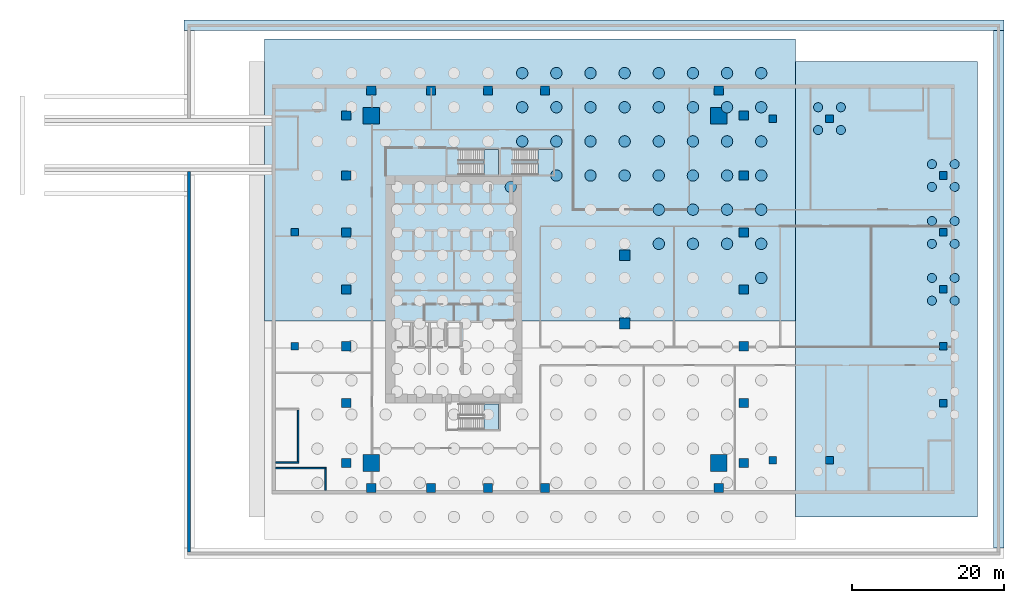
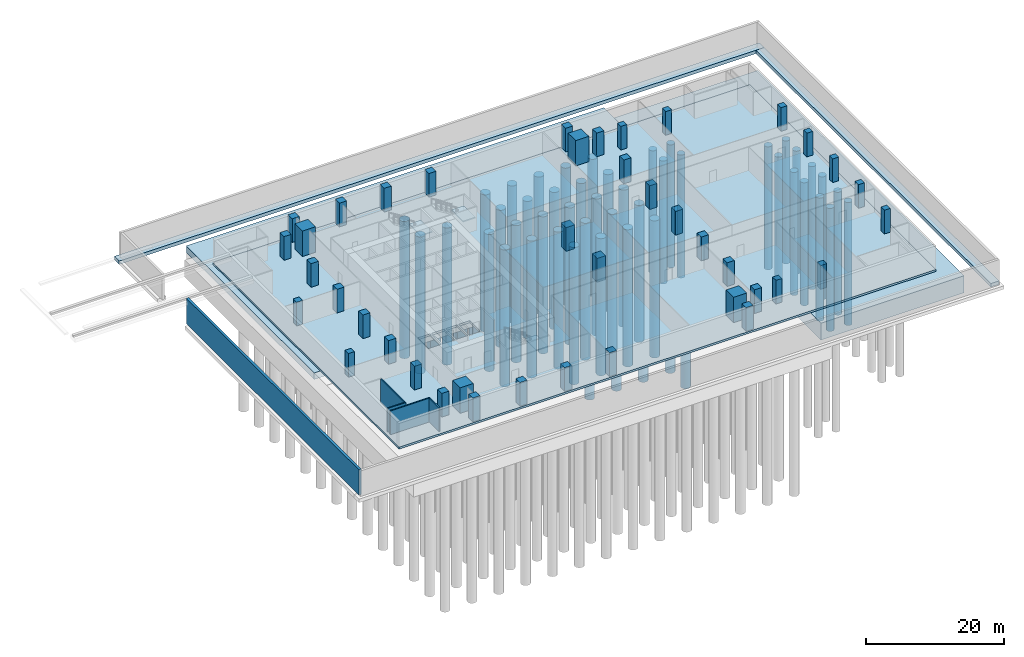
# One storey, part 2 of 10: 57 piles, 41 columns, 5 walls, 4 footings, 4 slabs, 3 elements without a shape of their own.
"""IFC4 building model written with IfcOpenShell, lengths in metres."""

from ifc_helpers import new_model, si_unit, direction, frame, frame_2d, origin, origin_2d, place, context, subcontext, project, spatial, polyline, rectangle, circle, outline, extrude, source, transform, mapped, material, layer, layer_set, material_profile, profile_set, type_object, element, aggregate, save


model = new_model("IFC4")

# Units and contexts
model_context = context("Model", 3, precision=1e-05, world=origin(), true_north=direction((0.0, 1.0)))
body_context = subcontext(model_context, "Body", "Model", "MODEL_VIEW")
ifc_project = project(units=[si_unit("LENGTHUNIT", "METRE"), si_unit("AREAUNIT", "SQUARE_METRE"), si_unit("VOLUMEUNIT", "CUBIC_METRE"), si_unit("PLANEANGLEUNIT", "RADIAN"), si_unit("MASSUNIT", "GRAM", prefix="KILO")], contexts=[model_context])

# Site, building, storey
site_placement = place(None, origin())
site = spatial("IfcSite", under=ifc_project, at=site_placement, CompositionType="ELEMENT")
building_placement = place(site_placement, origin())
building = spatial("IfcBuilding", under=site, at=building_placement, Name="Khomas Fold Tower", CompositionType="ELEMENT")
storey_placement = place(building_placement, frame((0.0, 0.0, -9.0)))
storey = spatial("IfcBuildingStorey", under=building, at=storey_placement, Name="B2", CompositionType="ELEMENT", Elevation=-9.0)

# Footings
ifc_material_1 = material(Name="Concrete C40/50", Category="concrete")
ifc_layer_1 = layer(ifc_material_1, 1.14990234375)
ifc_layer_set_1 = layer_set([ifc_layer_1], Name="Concrete C40/50")
footing_type_1 = type_object("IfcFootingType", Name="RC tower raft upper part 70000 x 37150 x 1150 RF5", PredefinedType="PILE_CAP", material=ifc_layer_set_1)
shared_shape_1 = source(origin(), body_context, "Body", "SweptSolid", [
    extrude(outline(polyline([(-10.0, 22.85009765625), (60.0, 22.85009765625), (60.0, 60.0), (-10.0, 60.0), (-10.0, 22.85009765625)])), origin(), (0.0, 0.0, 1.0), 1.14990234375),
])
footing_1_placement = place(storey_placement, frame((0.0, 0.0, -1.5)))
element("IfcFooting", 1, at=footing_1_placement, inside=storey, type_object=footing_type_1, Name="Tower raft upper part 4", PredefinedType="PILE_CAP", context=body_context, shape_type="MappedRepresentation", body=[
    mapped(shared_shape_1, transform((0.0, 0.0, 0.0))),
])
ifc_material_2 = material(Name="Concrete C40/50", Category="concrete")
ifc_layer_2 = layer(ifc_material_2, 3.0)
ifc_layer_set_2 = layer_set([ifc_layer_2], Name="Concrete C40/50")
footing_type_2 = type_object("IfcFootingType", Name="RC podium raft 24000 x 60000 x 3000 RF7", PredefinedType="PILE_CAP", material=ifc_layer_set_2)
shared_shape_2 = source(origin(), body_context, "Body", "SweptSolid", [
    extrude(outline(polyline([(60.0, -3.0), (84.0, -3.0), (84.0, 57.0), (60.0, 57.0), (60.0, -3.0)])), origin(), (0.0, 0.0, 1.0), 3.0),
])
footing_2_placement = place(storey_placement, frame((0.0, 0.0, -3.35009765625)))
element("IfcFooting", 2, at=footing_2_placement, inside=storey, type_object=footing_type_2, Name="Podium raft 2", PredefinedType="PILE_CAP", context=body_context, shape_type="MappedRepresentation", body=[
    mapped(shared_shape_2, transform((0.0, 0.0, 0.0))),
])

# Piles
ifc_material_3 = material(Name="Concrete C40/50", Category="concrete")
ifc_material_profile_1 = material_profile(ifc_material_3, circle(Radius=0.75, at=origin_2d()), Name="PILE D1500")
ifc_profile_set_1 = profile_set([ifc_material_profile_1], Name="Concrete C40/50")
pile_type_1 = type_object("IfcPileType", Name="Bored pile D1500 grid", PredefinedType="BORED", material=ifc_profile_set_1)
shared_shape_3 = source(origin(), body_context, "Body", "SweptSolid", [
    extrude(circle(Radius=0.75, at=origin_2d()), origin(), (0.0, 0.0, 1.0), 24.300048828125),
])
for number, where, z_axis, x_axis, name in (
    (3, (24.0, 46.5, -4.699951171875), (0.0, 0.0, -1.0), (1.0, 0.0, 0.0), "Pile G061"),
    (4, (24.0, 51.0, -4.699951171875), (0.0, 0.0, -1.0), (1.0, 0.0, 0.0), "Pile G062"),
    (5, (24.0, 55.5, -4.699951171875), (0.0, 0.0, -1.0), (1.0, 0.0, 0.0), "Pile G063"),
    (6, (28.5, 42.0, -4.699951171875), (0.0, 0.0, -1.0), (1.0, 0.0, 0.0), "Pile G074"),
    (7, (28.5, 46.5, -4.699951171875), (0.0, 0.0, -1.0), (1.0, 0.0, 0.0), "Pile G075"),
    (8, (28.5, 51.0, -4.699951171875), (0.0, 0.0, -1.0), (1.0, 0.0, 0.0), "Pile G076"),
    (9, (28.5, 55.5, -4.699951171875), (0.0, 0.0, -1.0), (1.0, 0.0, 0.0), "Pile G077"),
    (10, (33.0, 42.0, -4.699951171875), (0.0, 0.0, -1.0), (1.0, 0.0, 0.0), "Pile G088"),
    (11, (33.0, 46.5, -4.699951171875), (0.0, 0.0, -1.0), (1.0, 0.0, 0.0), "Pile G089"),
    (12, (33.0, 51.0, -4.699951171875), (0.0, 0.0, -1.0), (1.0, 0.0, 0.0), "Pile G090"),
    (13, (33.0, 55.5, -4.699951171875), (0.0, 0.0, -1.0), (1.0, 0.0, 0.0), "Pile G091"),
    (14, (37.5, 42.0, -4.699951171875), (0.0, 0.0, -1.0), (1.0, 0.0, 0.0), "Pile G102"),
    (15, (37.5, 46.5, -4.699951171875), (0.0, 0.0, -1.0), (1.0, 0.0, 0.0), "Pile G103"),
    (16, (37.5, 51.0, -4.699951171875), (0.0, 0.0, -1.0), (1.0, 0.0, 0.0), "Pile G104"),
    (17, (37.5, 55.5, -4.699951171875), (0.0, 0.0, -1.0), (1.0, 0.0, 0.0), "Pile G105"),
    (18, (42.0, 33.0, -4.699951171875), (0.0, 0.0, -1.0), (1.0, 0.0, 0.0), "Pile G114"),
    (19, (42.0, 37.5, -4.699951171875), (0.0, 0.0, -1.0), (1.0, 0.0, 0.0), "Pile G115"),
    (20, (42.0, 42.0, -4.699951171875), (0.0, 0.0, -1.0), (1.0, 0.0, 0.0), "Pile G116"),
    (21, (42.0, 46.5, -4.699951171875), (0.0, 0.0, -1.0), (1.0, 0.0, 0.0), "Pile G117"),
    (22, (42.0, 51.0, -4.699951171875), (0.0, 0.0, -1.0), (1.0, 0.0, 0.0), "Pile G118"),
    (23, (42.0, 55.5, -4.699951171875), (0.0, 0.0, -1.0), (1.0, 0.0, 0.0), "Pile G119"),
    (24, (46.5, 33.0, -4.699951171875), (0.0, 0.0, -1.0), (1.0, 0.0, 0.0), "Pile G128"),
    (25, (46.5, 37.5, -4.699951171875), (0.0, 0.0, -1.0), (1.0, 0.0, 0.0), "Pile G129"),
    (26, (46.5, 42.0, -4.699951171875), (0.0, 0.0, -1.0), (1.0, 0.0, 0.0), "Pile G130"),
    (27, (46.5, 46.5, -4.699951171875), (0.0, 0.0, -1.0), (1.0, 0.0, 0.0), "Pile G131"),
    (28, (46.5, 51.0, -4.699951171875), (0.0, 0.0, -1.0), (1.0, 0.0, 0.0), "Pile G132"),
    (29, (46.5, 55.5, -4.699951171875), (0.0, 0.0, -1.0), (1.0, 0.0, 0.0), "Pile G133"),
    (30, (51.0, 33.0, -4.699951171875), (0.0, 0.0, -1.0), (1.0, 0.0, 0.0), "Pile G142"),
    (31, (51.0, 37.5, -4.699951171875), (0.0, 0.0, -1.0), (1.0, 0.0, 0.0), "Pile G143"),
    (32, (51.0, 42.0, -4.699951171875), (0.0, 0.0, -1.0), (1.0, 0.0, 0.0), "Pile G144"),
    (33, (51.0, 46.5, -4.699951171875), (0.0, 0.0, -1.0), (1.0, 0.0, 0.0), "Pile G145"),
    (34, (51.0, 51.0, -4.699951171875), (0.0, 0.0, -1.0), (1.0, 0.0, 0.0), "Pile G146"),
    (35, (51.0, 55.5, -4.699951171875), (0.0, 0.0, -1.0), (1.0, 0.0, 0.0), "Pile G147"),
    (36, (55.5, 28.5, -4.699951171875), (0.0, 0.0, -1.0), (1.0, 0.0, 0.0), "Pile G155"),
    (37, (55.5, 33.0, -4.699951171875), (0.0, 0.0, -1.0), (1.0, 0.0, 0.0), "Pile G156"),
    (38, (55.5, 37.5, -4.699951171875), (0.0, 0.0, -1.0), (1.0, 0.0, 0.0), "Pile G157"),
    (39, (55.5, 42.0, -4.699951171875), (0.0, 0.0, -1.0), (1.0, 0.0, 0.0), "Pile G158"),
    (40, (55.5, 46.5, -4.699951171875), (0.0, 0.0, -1.0), (1.0, 0.0, 0.0), "Pile G159"),
    (41, (55.5, 51.0, -4.699951171875), (0.0, 0.0, -1.0), (1.0, 0.0, 0.0), "Pile G160"),
    (42, (55.5, 55.5, -4.699951171875), (0.0, 0.0, -1.0), (1.0, 0.0, 0.0), "Pile G161"),
):
    element("IfcPile", number, at=place(storey_placement, frame(where, z_axis=z_axis, x_axis=x_axis)), inside=storey, type_object=pile_type_1, Name=name, PredefinedType="BORED", context=body_context, shape_type="MappedRepresentation", body=[
        mapped(shared_shape_3, transform((0.0, 0.0, 0.0))),
    ])
ifc_material_4 = material(Name="Concrete C40/50", Category="concrete")
ifc_material_profile_2 = material_profile(ifc_material_4, circle(Radius=0.75, at=origin_2d()), Name="PILE D1500")
ifc_profile_set_2 = profile_set([ifc_material_profile_2], Name="Concrete C40/50")
pile_type_2 = type_object("IfcPileType", Name="Bored pile D1500 core", PredefinedType="BORED", material=ifc_profile_set_2)
shared_shape_4 = source(origin(), body_context, "Body", "SweptSolid", [
    extrude(circle(Radius=0.75, at=origin_2d()), origin(), (0.0, 0.0, 1.0), 24.300048828125),
])
pile_placement = place(storey_placement, frame((22.5, 40.5, -4.699951171875), z_axis=(0.0, 0.0, -1.0), x_axis=(1.0, 0.0, 0.0)))
element("IfcPile", 43, at=pile_placement, inside=storey, type_object=pile_type_2, Name="Pile C060", PredefinedType="BORED", context=body_context, shape_type="MappedRepresentation", body=[
    mapped(shared_shape_4, transform((0.0, 0.0, 0.0))),
])
ifc_material_5 = material(Name="Concrete C40/50", Category="concrete")
ifc_material_profile_3 = material_profile(ifc_material_5, circle(Radius=0.60009765625, at=origin_2d()), Name="PILE D1200")
ifc_profile_set_3 = profile_set([ifc_material_profile_3], Name="Concrete C40/50")
pile_type_3 = type_object("IfcPileType", Name="Bored pile D1200 podium", PredefinedType="BORED", material=ifc_profile_set_3)
shared_shape_5 = source(origin(), body_context, "Body", "SweptSolid", [
    extrude(circle(Radius=0.60009765625, at=origin_2d()), origin(), (0.0, 0.0, 1.0), 21.800048828125),
])
for number, where, z_axis, x_axis, name in (
    (44, (63.0, 48.0, -3.199951171875), (0.0, 0.0, -1.0), (1.0, 0.0, 0.0), "Pile PC06-1"),
    (45, (66.0, 48.0, -3.199951171875), (0.0, 0.0, -1.0), (1.0, 0.0, 0.0), "Pile PC06-2"),
    (46, (66.0, 51.0, -3.199951171875), (0.0, 0.0, -1.0), (1.0, 0.0, 0.0), "Pile PC06-3"),
    (47, (63.0, 51.0, -3.199951171875), (0.0, 0.0, -1.0), (1.0, 0.0, 0.0), "Pile PC06-4"),
    (48, (78.0, 25.5, -3.199951171875), (0.0, 0.0, -1.0), (1.0, 0.0, 0.0), "Pile PC09-1"),
    (49, (81.0, 25.5, -3.199951171875), (0.0, 0.0, -1.0), (1.0, 0.0, 0.0), "Pile PC09-2"),
    (50, (81.0, 28.5, -3.199951171875), (0.0, 0.0, -1.0), (1.0, 0.0, 0.0), "Pile PC09-3"),
    (51, (78.0, 28.5, -3.199951171875), (0.0, 0.0, -1.0), (1.0, 0.0, 0.0), "Pile PC09-4"),
    (52, (78.0, 33.0, -3.199951171875), (0.0, 0.0, -1.0), (1.0, 0.0, 0.0), "Pile PC10-1"),
    (53, (81.0, 33.0, -3.199951171875), (0.0, 0.0, -1.0), (1.0, 0.0, 0.0), "Pile PC10-2"),
    (54, (81.0, 36.0, -3.199951171875), (0.0, 0.0, -1.0), (1.0, 0.0, 0.0), "Pile PC10-3"),
    (55, (78.0, 36.0, -3.199951171875), (0.0, 0.0, -1.0), (1.0, 0.0, 0.0), "Pile PC10-4"),
    (56, (78.0, 40.5, -3.199951171875), (0.0, 0.0, -1.0), (1.0, 0.0, 0.0), "Pile PC11-1"),
    (57, (81.0, 40.5, -3.199951171875), (0.0, 0.0, -1.0), (1.0, 0.0, 0.0), "Pile PC11-2"),
    (58, (81.0, 43.5, -3.199951171875), (0.0, 0.0, -1.0), (1.0, 0.0, 0.0), "Pile PC11-3"),
    (59, (78.0, 43.5, -3.199951171875), (0.0, 0.0, -1.0), (1.0, 0.0, 0.0), "Pile PC11-4"),
):
    element("IfcPile", number, at=place(storey_placement, frame(where, z_axis=z_axis, x_axis=x_axis)), inside=storey, type_object=pile_type_3, Name=name, PredefinedType="BORED", context=body_context, shape_type="MappedRepresentation", body=[
        mapped(shared_shape_5, transform((0.0, 0.0, 0.0))),
    ])

# Footings
ifc_material_6 = material(Name="Concrete C35/45", Category="concrete")
ifc_layer_3 = layer(ifc_material_6, 0.60009765625)
ifc_layer_set_3 = layer_set([ifc_layer_3], Name="Concrete C35/45")
footing_type_3 = type_object("IfcFootingType", Name="Plaza wall footing 1400 x 600", PredefinedType="STRIP_FOOTING", material=ifc_layer_set_3)
shared_shape_6 = source(origin(), body_context, "Body", "SweptSolid", [
    extrude(outline(polyline([(-20.59814453125, 61.10009765625), (87.5, 61.10009765625), (87.5, 62.5), (-20.59814453125, 62.5), (-20.59814453125, 61.10009765625)])), origin(), (0.0, 0.0, 1.0), 0.60009765625),
])
footing_3_placement = place(storey_placement, frame((0.0, 0.0, -0.60009765625)))
element("IfcFooting", 60, at=footing_3_placement, inside=storey, type_object=footing_type_3, Name="Plaza wall footing", PredefinedType="STRIP_FOOTING", context=body_context, shape_type="MappedRepresentation", body=[
    mapped(shared_shape_6, transform((0.0, 0.0, 0.0))),
])
shared_shape_7 = source(origin(), body_context, "Body", "SweptSolid", [
    extrude(outline(polyline([(86.10009765625, -7.10009765625), (87.5, -7.10009765625), (87.5, 61.10009765625), (86.10009765625, 61.10009765625), (86.10009765625, -7.10009765625)])), origin(), (0.0, 0.0, 1.0), 0.60009765625),
])
footing_4_placement = place(storey_placement, frame((0.0, 0.0, -0.60009765625)))
element("IfcFooting", 61, at=footing_4_placement, inside=storey, type_object=footing_type_3, Name="Plaza wall footing", PredefinedType="STRIP_FOOTING", context=body_context, shape_type="MappedRepresentation", body=[
    mapped(shared_shape_7, transform((0.0, 0.0, 0.0))),
])

# Columns
ifc_material_7 = material(Name="Concrete C70/85", Category="concrete")
ifc_material_profile_4 = material_profile(ifc_material_7, rectangle(XDim=2.199951171875, YDim=2.199951171875, at=origin_2d()), Name="RC 2200x2200")
ifc_profile_set_4 = profile_set([ifc_material_profile_4], Name="Concrete C70/85")
column_type_1 = type_object("IfcColumnType", Name="RC 2200x2200 column", PredefinedType="COLUMN", material=ifc_profile_set_4)
shared_shape_8 = source(origin(), body_context, "Body", "SweptSolid", [
    extrude(rectangle(XDim=2.199951171875, YDim=2.199951171875, at=origin_2d()), origin(), (0.0, 0.0, 1.0), 4.5),
])
for number, where, z_axis, x_axis, name in (
    (62, (49.89990234375, 49.89990234375, 0.0), (0.0, 0.0, 1.0), (1.0, 0.0, 0.0), "CM-NE"),
    (63, (4.10009765625, 49.89990234375, 0.0), (0.0, 0.0, 1.0), (1.0, 0.0, 0.0), "CM-NW"),
    (64, (49.89990234375, 4.10009765625, 0.0), (0.0, 0.0, 1.0), (1.0, 0.0, 0.0), "CM-SE"),
    (65, (4.10009765625, 4.10009765625, 0.0), (0.0, 0.0, 1.0), (1.0, 0.0, 0.0), "CM-SW"),
):
    element("IfcColumn", number, at=place(storey_placement, frame(where, z_axis=z_axis, x_axis=x_axis)), inside=storey, type_object=column_type_1, Name=name, PredefinedType="COLUMN", context=body_context, shape_type="MappedRepresentation", body=[
        mapped(shared_shape_8, transform((0.0, 0.0, 0.0))),
    ])
ifc_material_8 = material(Name="Concrete C60/75", Category="concrete")
ifc_material_profile_5 = material_profile(ifc_material_8, rectangle(XDim=1.199951171875, YDim=1.199951171875, at=origin_2d()), Name="RC 1200x1200")
ifc_profile_set_5 = profile_set([ifc_material_profile_5], Name="Concrete C60/75")
column_type_2 = type_object("IfcColumnType", Name="RC 1200x1200 column", PredefinedType="COLUMN", material=ifc_profile_set_5)
shared_shape_9 = source(origin(), body_context, "Body", "SweptSolid", [
    extrude(rectangle(XDim=1.199951171875, YDim=1.199951171875, at=origin_2d()), origin(), (0.0, 0.0, 1.0), 4.199951171875),
])
for number, where, z_axis, x_axis, name in (
    (66, (4.10009765625, 0.800048828125, 0.0), (0.0, 0.0, 1.0), (1.0, 0.0, 0.0), "C-2-SF1"),
    (67, (12.0, 0.800048828125, 0.0), (0.0, 0.0, 1.0), (1.0, 0.0, 0.0), "C-6-SF1"),
    (68, (19.5, 0.800048828125, 0.0), (0.0, 0.0, 1.0), (1.0, 0.0, 0.0), "C-8-SF1"),
    (69, (27.0, 0.800048828125, 0.0), (0.0, 0.0, 1.0), (1.0, 0.0, 0.0), "C-9-SF1"),
    (70, (49.89990234375, 0.800048828125, 0.0), (0.0, 0.0, 1.0), (1.0, 0.0, 0.0), "C-17-SF1"),
    (71, (53.199951171875, 4.10009765625, 0.0), (0.0, 0.0, 1.0), (1.0, 0.0, 0.0), "C-E1-A"),
    (72, (53.199951171875, 12.0, 0.0), (0.0, 0.0, 1.0), (1.0, 0.0, 0.0), "C-E1-F"),
    (73, (53.199951171875, 19.5, 0.0), (0.0, 0.0, 1.0), (1.0, 0.0, 0.0), "C-E1-J"),
    (74, (53.199951171875, 27.0, 0.0), (0.0, 0.0, 1.0), (1.0, 0.0, 0.0), "C-E1-L"),
    (75, (53.199951171875, 34.5, 0.0), (0.0, 0.0, 1.0), (1.0, 0.0, 0.0), "C-E1-N"),
    (76, (53.199951171875, 42.0, 0.0), (0.0, 0.0, 1.0), (1.0, 0.0, 0.0), "C-E1-R"),
    (77, (53.199951171875, 49.89990234375, 0.0), (0.0, 0.0, 1.0), (1.0, 0.0, 0.0), "C-E1-W"),
    (78, (4.10009765625, 53.199951171875, 0.0), (0.0, 0.0, 1.0), (1.0, 0.0, 0.0), "C-2-NF1"),
    (79, (12.0, 53.199951171875, 0.0), (0.0, 0.0, 1.0), (1.0, 0.0, 0.0), "C-6-NF1"),
    (80, (19.5, 53.199951171875, 0.0), (0.0, 0.0, 1.0), (1.0, 0.0, 0.0), "C-8-NF1"),
    (81, (27.0, 53.199951171875, 0.0), (0.0, 0.0, 1.0), (1.0, 0.0, 0.0), "C-9-NF1"),
    (82, (49.89990234375, 53.199951171875, 0.0), (0.0, 0.0, 1.0), (1.0, 0.0, 0.0), "C-17-NF1"),
    (83, (0.800048828125, 4.10009765625, 0.0), (0.0, 0.0, 1.0), (1.0, 0.0, 0.0), "C-W1-A"),
    (84, (0.800048828125, 12.0, 0.0), (0.0, 0.0, 1.0), (1.0, 0.0, 0.0), "C-W1-F"),
    (85, (0.800048828125, 19.5, 0.0), (0.0, 0.0, 1.0), (1.0, 0.0, 0.0), "C-W1-J"),
    (86, (0.800048828125, 27.0, 0.0), (0.0, 0.0, 1.0), (1.0, 0.0, 0.0), "C-W1-L"),
    (87, (0.800048828125, 34.5, 0.0), (0.0, 0.0, 1.0), (1.0, 0.0, 0.0), "C-W1-N"),
    (88, (0.800048828125, 42.0, 0.0), (0.0, 0.0, 1.0), (1.0, 0.0, 0.0), "C-W1-R"),
    (89, (0.800048828125, 49.89990234375, 0.0), (0.0, 0.0, 1.0), (1.0, 0.0, 0.0), "C-W1-W"),
):
    element("IfcColumn", number, at=place(storey_placement, frame(where, z_axis=z_axis, x_axis=x_axis)), inside=storey, type_object=column_type_2, Name=name, PredefinedType="COLUMN", context=body_context, shape_type="MappedRepresentation", body=[
        mapped(shared_shape_9, transform((0.0, 0.0, 0.0))),
    ])
ifc_material_9 = material(Name="Concrete C60/75", Category="concrete")
ifc_material_profile_6 = material_profile(ifc_material_9, rectangle(XDim=1.39990234375, YDim=1.39990234375, at=origin_2d()), Name="RC 1400x1400")
ifc_profile_set_6 = profile_set([ifc_material_profile_6], Name="Concrete C60/75")
column_type_3 = type_object("IfcColumnType", Name="RC 1400x1400 column", PredefinedType="COLUMN", material=ifc_profile_set_6)
shared_shape_10 = source(origin(), body_context, "Body", "SweptSolid", [
    extrude(rectangle(XDim=1.39990234375, YDim=1.39990234375, at=origin_2d()), origin(), (0.0, 0.0, 1.0), 4.199951171875),
])
for number, where, z_axis, x_axis, name in (
    (90, (37.5, 22.5, 0.0), (0.0, 0.0, 1.0), (1.0, 0.0, 0.0), "C-11-K"),
    (91, (37.5, 31.5, 0.0), (0.0, 0.0, 1.0), (1.0, 0.0, 0.0), "C-11-M"),
):
    element("IfcColumn", number, at=place(storey_placement, frame(where, z_axis=z_axis, x_axis=x_axis)), inside=storey, type_object=column_type_3, Name=name, PredefinedType="COLUMN", context=body_context, shape_type="MappedRepresentation", body=[
        mapped(shared_shape_10, transform((0.0, 0.0, 0.0))),
    ])
ifc_material_10 = material(Name="Concrete C50/60", Category="concrete")
ifc_material_profile_7 = material_profile(ifc_material_10, rectangle(XDim=1.0, YDim=1.0, at=origin_2d()), Name="RC 1000x1000")
ifc_profile_set_7 = profile_set([ifc_material_profile_7], Name="Concrete C50/60")
column_type_4 = type_object("IfcColumnType", Name="RC 1000x1000 column", PredefinedType="COLUMN", material=ifc_profile_set_7)
shared_shape_11 = source(origin(), body_context, "Body", "SweptSolid", [
    extrude(rectangle(XDim=1.0, YDim=1.0, at=origin_2d()), origin(), (0.0, 0.0, 1.0), 4.199951171875),
])
for number, where, z_axis, x_axis, name in (
    (92, (-6.0, 19.5, 0.0), (0.0, 0.0, 1.0), (1.0, 0.0, 0.0), "C-1-J"),
    (93, (-6.0, 34.5, 0.0), (0.0, 0.0, 1.0), (1.0, 0.0, 0.0), "C-1-N"),
    (94, (57.0, 4.5, 0.0), (0.0, 0.0, 1.0), (1.0, 0.0, 0.0), "C-18-B"),
    (95, (57.0, 49.5, 0.0), (0.0, 0.0, 1.0), (1.0, 0.0, 0.0), "C-18-V"),
    (96, (64.5, 4.5, 0.0), (0.0, 0.0, 1.0), (1.0, 0.0, 0.0), "C-19-B"),
    (97, (64.5, 49.5, 0.0), (0.0, 0.0, 1.0), (1.0, 0.0, 0.0), "C-19-V"),
    (98, (79.5, 12.0, 0.0), (0.0, 0.0, 1.0), (1.0, 0.0, 0.0), "C-20-F"),
    (99, (79.5, 19.5, 0.0), (0.0, 0.0, 1.0), (1.0, 0.0, 0.0), "C-20-J"),
    (100, (79.5, 27.0, 0.0), (0.0, 0.0, 1.0), (1.0, 0.0, 0.0), "C-20-L"),
    (101, (79.5, 34.5, 0.0), (0.0, 0.0, 1.0), (1.0, 0.0, 0.0), "C-20-N"),
    (102, (79.5, 42.0, 0.0), (0.0, 0.0, 1.0), (1.0, 0.0, 0.0), "C-20-R"),
):
    element("IfcColumn", number, at=place(storey_placement, frame(where, z_axis=z_axis, x_axis=x_axis)), inside=storey, type_object=column_type_4, Name=name, PredefinedType="COLUMN", context=body_context, shape_type="MappedRepresentation", body=[
        mapped(shared_shape_11, transform((0.0, 0.0, 0.0))),
    ])

# Slab
ifc_material_11 = material(Name="Concrete C40/50", Category="concrete")
ifc_layer_4 = layer(ifc_material_11, 0.35009765625)
ifc_layer_set_4 = layer_set([ifc_layer_4], Name="Concrete C40/50")
slab_type_1 = type_object("IfcSlabType", Name="RC base slab 350", PredefinedType="BASESLAB", material=ifc_layer_set_4)
shared_shape_12 = source(origin(), body_context, "Body", "SweptSolid", [
    extrude(outline(polyline([(-9.0, 0.0), (81.0, 0.0), (81.0, 54.0), (-9.0, 54.0), (-9.0, 0.0)]), holes=[polyline([(7.199951171875, 19.5), (7.199951171875, 22.60009765625), (9.300048828125, 22.60009765625), (9.300048828125, 19.5), (7.199951171875, 19.5)]), polyline([(9.550048828125, 19.5), (9.550048828125, 22.60009765625), (11.64990234375, 22.60009765625), (11.64990234375, 19.5), (9.550048828125, 19.5)]), polyline([(11.89990234375, 19.5), (11.89990234375, 22.60009765625), (13.800048828125, 22.60009765625), (13.800048828125, 19.5), (11.89990234375, 19.5)]), polyline([(14.050048828125, 19.5), (14.050048828125, 22.60009765625), (15.949951171875, 22.60009765625), (15.949951171875, 19.5), (14.050048828125, 19.5)])]), origin(), (0.0, 0.0, 1.0), 0.35009765625),
])
slab_1_placement = place(storey_placement, frame((0.0, 0.0, -0.35009765625)))
element("IfcSlab", 103, at=slab_1_placement, inside=storey, type_object=slab_type_1, Name="Base slab", PredefinedType="BASESLAB", context=body_context, shape_type="MappedRepresentation", body=[
    mapped(shared_shape_12, transform((0.0, 0.0, 0.0))),
])

# Stair, slab
ifc_material_12 = material(Name="Concrete C40/50", Category="concrete")
stair_type_1 = type_object("IfcStairType", Name="Stair ST1", PredefinedType="HALF_TURN_STAIR", material=ifc_material_12)
stair_1_placement = place(storey_placement, origin())
stair_1 = element("IfcStair", 104, at=stair_1_placement, inside=storey, type_object=stair_type_1, Name="B2 ST1", PredefinedType="HALF_TURN_STAIR")
ifc_material_13 = material(Name="Concrete C40/50", Category="concrete")
ifc_layer_5 = layer(ifc_material_13, 0.199951171875)
ifc_layer_set_5 = layer_set([ifc_layer_5], Name="Concrete C40/50")
slab_type_2 = type_object("IfcSlabType", Name="Stair landing 200", PredefinedType="LANDING", material=ifc_layer_set_5)
shared_shape_13 = source(origin(), body_context, "Body", "SweptSolid", [
    extrude(outline(polyline([(18.9599609375, 42.10009765625), (20.89990234375, 42.10009765625), (20.89990234375, 45.449951171875), (18.9599609375, 45.449951171875), (18.9599609375, 42.10009765625)])), origin(), (0.0, 0.0, 1.0), 0.199951171875),
])
slab_2_placement = place(storey_placement, frame((0.0, 0.0, 2.050048828125)))
slab_2 = element("IfcSlab", 105, at=slab_2_placement, type_object=slab_type_2, Name="ST1 landing 1", PredefinedType="LANDING", context=body_context, shape_type="MappedRepresentation", body=[
    mapped(shared_shape_13, transform((0.0, 0.0, 0.0))),
])
aggregate(stair_1, [slab_2])

ifc_material_14 = material(Name="Concrete C40/50", Category="concrete")
stair_type_2 = type_object("IfcStairType", Name="Stair ST2", PredefinedType="HALF_TURN_STAIR", material=ifc_material_14)
stair_2_placement = place(storey_placement, origin())
stair_2 = element("IfcStair", 106, at=stair_2_placement, inside=storey, type_object=stair_type_2, Name="B2 ST2", PredefinedType="HALF_TURN_STAIR")
shared_shape_14 = source(origin(), body_context, "Body", "SweptSolid", [
    extrude(outline(polyline([(18.9599609375, 8.550048828125), (20.89990234375, 8.550048828125), (20.89990234375, 11.89990234375), (18.9599609375, 11.89990234375), (18.9599609375, 8.550048828125)])), origin(), (0.0, 0.0, 1.0), 0.199951171875),
])
slab_3_placement = place(storey_placement, frame((0.0, 0.0, 2.050048828125)))
slab_3 = element("IfcSlab", 107, at=slab_3_placement, type_object=slab_type_2, Name="ST2 landing 1", PredefinedType="LANDING", context=body_context, shape_type="MappedRepresentation", body=[
    mapped(shared_shape_14, transform((0.0, 0.0, 0.0))),
])
aggregate(stair_2, [slab_3])

ifc_material_15 = material(Name="Concrete C40/50", Category="concrete")
stair_type_3 = type_object("IfcStairType", Name="Stair ST3", PredefinedType="HALF_TURN_STAIR", material=ifc_material_15)
stair_3_placement = place(storey_placement, origin())
stair_3 = element("IfcStair", 108, at=stair_3_placement, inside=storey, type_object=stair_type_3, Name="B2 ST3", PredefinedType="HALF_TURN_STAIR")
shared_shape_15 = source(origin(), body_context, "Body", "SweptSolid", [
    extrude(outline(polyline([(26.06005859375, 42.10009765625), (28.10009765625, 42.10009765625), (28.10009765625, 45.449951171875), (26.06005859375, 45.449951171875), (26.06005859375, 42.10009765625)])), origin(), (0.0, 0.0, 1.0), 0.199951171875),
])
slab_4_placement = place(storey_placement, frame((0.0, 0.0, 2.050048828125)))
slab_4 = element("IfcSlab", 109, at=slab_4_placement, type_object=slab_type_2, Name="ST3 landing 1", PredefinedType="LANDING", context=body_context, shape_type="MappedRepresentation", body=[
    mapped(shared_shape_15, transform((0.0, 0.0, 0.0))),
])
aggregate(stair_3, [slab_4])

# Walls
ifc_material_16 = material(Name="Concrete C40/50", Category="concrete")
ifc_layer_6 = layer(ifc_material_16, 0.39990234375)
ifc_layer_set_6 = layer_set([ifc_layer_6], Name="Concrete C40/50")
wall_type_1 = type_object("IfcWallType", Name="Plaza retaining wall 400", PredefinedType="SOLIDWALL", material=ifc_layer_set_6)
shared_shape_16 = source(origin(), body_context, "Body", "SweptSolid", [
    extrude(rectangle(XDim=50.10009765625, YDim=0.39990234375, at=frame_2d((25.050048828125, 0.0))), origin(), (0.0, 0.0, 1.0), 4.5),
])
wall_1_placement = place(storey_placement, frame((-19.898193359375, -7.60009765625, 0.0), z_axis=(0.0, 0.0, 1.0), x_axis=(0.0, 1.0, 0.0)))
element("IfcWall", 110, at=wall_1_placement, inside=storey, type_object=wall_type_1, Name="Plaza retaining wall", PredefinedType="SOLIDWALL", context=body_context, shape_type="MappedRepresentation", body=[
    mapped(shared_shape_16, transform((0.0, 0.0, 0.0))),
])
ifc_material_17 = material(Name="Concrete C30/37", Category="concrete")
ifc_layer_7 = layer(ifc_material_17, 0.199951171875)
ifc_layer_set_7 = layer_set([ifc_layer_7], Name="Concrete C30/37")
wall_type_2 = type_object("IfcWallType", Name="Stair wall PW5 200", PredefinedType="PARTITIONING", material=ifc_layer_set_7)
shared_shape_17 = source(origin(), body_context, "Body", "SweptSolid", [
    extrude(rectangle(XDim=6.699951171875, YDim=0.199951171875, at=frame_2d((3.35009765625, 0.0))), origin(), (0.0, 0.0, 1.0), 4.199951171875),
])
wall_2_placement = place(storey_placement, frame((-8.5, 3.449951171875, 0.0), z_axis=(0.0, 0.0, 1.0), x_axis=(1.0, 0.0, 0.0)))
element("IfcWall", 111, at=wall_2_placement, inside=storey, type_object=wall_type_2, Name="Stair wall", PredefinedType="PARTITIONING", context=body_context, shape_type="MappedRepresentation", body=[
    mapped(shared_shape_17, transform((0.0, 0.0, 0.0))),
])
shared_shape_18 = source(origin(), body_context, "Body", "SweptSolid", [
    extrude(rectangle(XDim=2.85009765625, YDim=0.199951171875, at=frame_2d((1.425048828125, 0.0))), origin(), (0.0, 0.0, 1.0), 4.199951171875),
])
wall_3_placement = place(storey_placement, frame((-1.89990234375, 0.5, 0.0), z_axis=(0.0, 0.0, 1.0), x_axis=(0.0, 1.0, 0.0)))
element("IfcWall", 112, at=wall_3_placement, inside=storey, type_object=wall_type_2, Name="Stair wall", PredefinedType="PARTITIONING", context=body_context, shape_type="MappedRepresentation", body=[
    mapped(shared_shape_18, transform((0.0, 0.0, 0.0))),
])
shared_shape_19 = source(origin(), body_context, "Body", "SweptSolid", [
    extrude(rectangle(XDim=3.050048828125, YDim=0.199951171875, at=frame_2d((1.52490234375, 0.0))), origin(), (0.0, 0.0, 1.0), 4.199951171875),
])
wall_4_placement = place(storey_placement, frame((-8.5, 4.199951171875, 0.0), z_axis=(0.0, 0.0, 1.0), x_axis=(1.0, 0.0, 0.0)))
element("IfcWall", 113, at=wall_4_placement, inside=storey, type_object=wall_type_2, Name="Stair wall", PredefinedType="PARTITIONING", context=body_context, shape_type="MappedRepresentation", body=[
    mapped(shared_shape_19, transform((0.0, 0.0, 0.0))),
])
shared_shape_20 = source(origin(), body_context, "Body", "SweptSolid", [
    extrude(rectangle(XDim=6.800048828125, YDim=0.199951171875, at=frame_2d((3.39990234375, 0.0))), origin(), (0.0, 0.0, 1.0), 4.199951171875),
])
wall_5_placement = place(storey_placement, frame((-5.550048828125, 4.300048828125, 0.0), z_axis=(0.0, 0.0, 1.0), x_axis=(0.0, 1.0, 0.0)))
element("IfcWall", 114, at=wall_5_placement, inside=storey, type_object=wall_type_2, Name="Stair wall", PredefinedType="PARTITIONING", context=body_context, shape_type="MappedRepresentation", body=[
    mapped(shared_shape_20, transform((0.0, 0.0, 0.0))),
])

save(model, "model.ifc")
